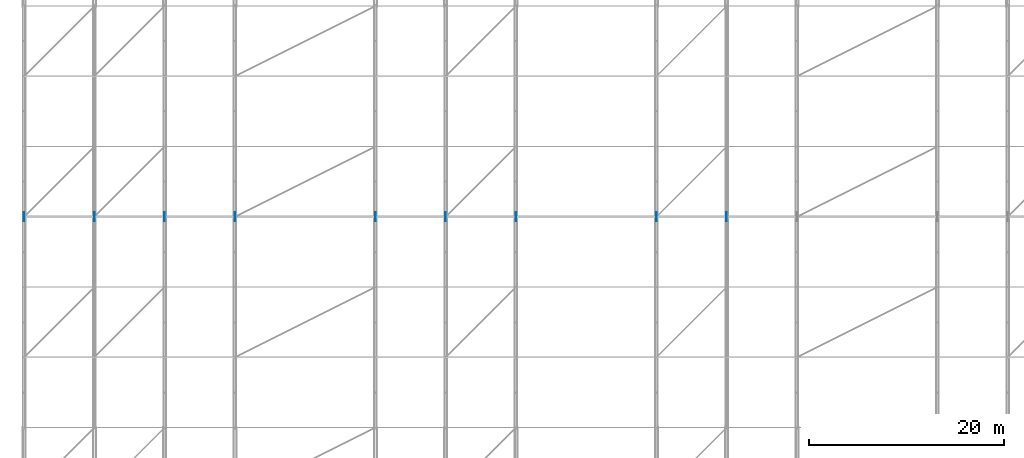
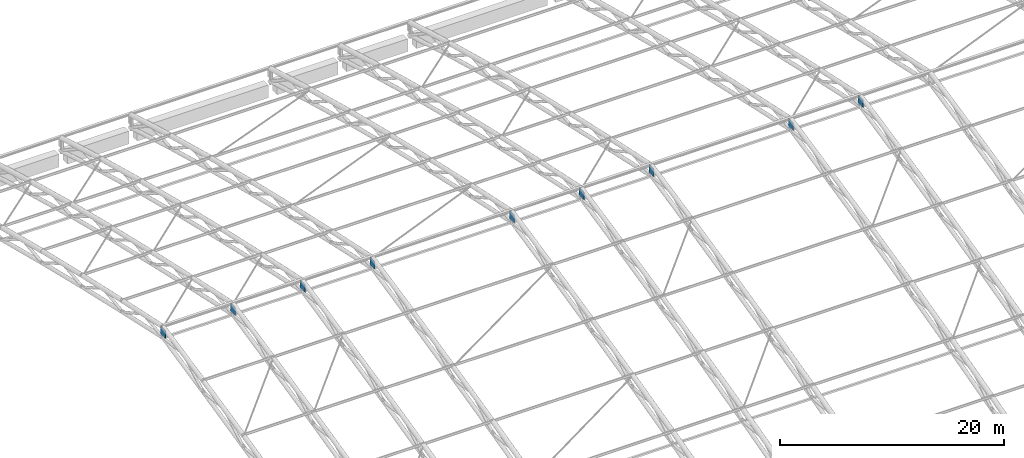
# One storey, part 115 of 193: 9 plates.
"""IFC4 building model written with IfcOpenShell, lengths in metres."""

import ifcopenshell
import ifcopenshell.guid

model = None  # the IFC model being written
_history = None  # IfcOwnerHistory: only IFC2X3 demands one
_inside = {}  # id of a spatial element -> (the spatial element, [elements in it])
_under = {}  # id of a project, library or spatial element -> (it, [spatial elements below it])
_declared = {}  # id of a project -> (the project, [libraries it declares])
_typed = {}  # id of a type object -> (the type object, [elements of that type])
_made_of = {}  # id of a material, layer set ... -> (it, [elements and type objects made of it])


def new_model(schema):
    """Start an empty IFC model of exactly this schema.

    Asked for "IFC4X3", IfcOpenShell would pick the latest addendum, in which some entities
    have other attributes; the version numbers below select the first issue.
    IFC2X3 requires an IfcOwnerHistory on every rooted entity: one is made here for all.
    """
    global model, _history
    if schema == "IFC4X3":
        model = ifcopenshell.file(schema_version=(4, 3, 0, 0))
    else:
        model = ifcopenshell.file(schema=schema)
    _inside.clear()
    _under.clear()
    _declared.clear()
    _typed.clear()
    _made_of.clear()
    _history = None
    if model.schema == "IFC2X3":
        org = make("IfcOrganization", Name="unknown")
        user = make(
            "IfcPersonAndOrganization",
            ThePerson=make("IfcPerson", FamilyName="unknown"),
            TheOrganization=org,
        )
        app = make(
            "IfcApplication",
            ApplicationDeveloper=org,
            Version="unknown",
            ApplicationFullName="unknown",
            ApplicationIdentifier="unknown",
        )
        _history = make(
            "IfcOwnerHistory",
            OwningUser=user,
            OwningApplication=app,
            ChangeAction="ADDED",
            CreationDate=0,
        )
    return model


def make(cls, **values):
    """One entity of the class cls with the attributes given. An attribute that is None is left unset."""
    return model.create_entity(
        cls, **{name: value for name, value in values.items() if value is not None}
    )


def rooted(cls, **values):
    """An entity with a GlobalId (a new one), such as an element, a storey or a relation."""
    return make(cls, GlobalId=ifcopenshell.guid.new(), OwnerHistory=_history, **values)


def si_unit(unit_type, name, prefix=None):
    """IfcSIUnit, for example si_unit("LENGTHUNIT", "METRE", prefix="MILLI")."""
    return make("IfcSIUnit", UnitType=unit_type, Prefix=prefix, Name=name)


def assignment(units):
    """IfcUnitAssignment: the units of a project."""
    return None if units is None else make("IfcUnitAssignment", Units=units)


def point(xyz):
    """IfcCartesianPoint."""
    return None if xyz is None else make("IfcCartesianPoint", Coordinates=xyz)


def direction(xyz):
    """IfcDirection."""
    return None if xyz is None else make("IfcDirection", DirectionRatios=xyz)


def frame(location, z_axis=None, x_axis=None):
    """IfcAxis2Placement3D, a coordinate frame: its origin and axes. An axis left out is left unset."""
    return make(
        "IfcAxis2Placement3D",
        Location=point(location),
        Axis=direction(z_axis),
        RefDirection=direction(x_axis),
    )


def frame_2d(location, x_axis=None):
    """IfcAxis2Placement2D, a coordinate frame in the plane: its origin and x axis."""
    return make(
        "IfcAxis2Placement2D", Location=point(location), RefDirection=direction(x_axis)
    )


def origin():
    """The frame at (0, 0, 0) with its axes left unset."""
    return frame((0.0, 0.0, 0.0))


def origin_2d():
    """The frame at (0, 0) in the plane with its x axis left unset."""
    return frame_2d((0.0, 0.0))


def place(relative_to, where):
    """IfcLocalPlacement: puts the frame where relative to a parent placement (None: the world)."""
    return make(
        "IfcLocalPlacement", PlacementRelTo=relative_to, RelativePlacement=where
    )


def context(
    kind, dimensions, precision=None, world=None, true_north=None, identifier=None
):
    """IfcGeometricRepresentationContext, for example the 3D "Model" context."""
    return make(
        "IfcGeometricRepresentationContext",
        ContextIdentifier=identifier,
        ContextType=kind,
        CoordinateSpaceDimension=dimensions,
        Precision=precision,
        WorldCoordinateSystem=world,
        TrueNorth=true_north,
    )


def subcontext(parent, identifier, kind, view, scale=None):
    """IfcGeometricRepresentationSubContext, for example "Body" below "Model"."""
    return make(
        "IfcGeometricRepresentationSubContext",
        ContextIdentifier=identifier,
        ContextType=kind,
        ParentContext=parent,
        TargetScale=scale,
        TargetView=view,
    )


def project(units=None, contexts=None):
    """IfcProject with its units and contexts."""
    return rooted(
        "IfcProject",
        Name="project",
        RepresentationContexts=contexts,
        UnitsInContext=assignment(units),
    )


def spatial(cls, under=None, at=None, **own):
    """A site, building, storey or space (cls), placed at a placement, below another one or the project."""
    s = rooted(cls, ObjectPlacement=at, **own)
    if under is not None:
        _under.setdefault(under.id(), (under, []))[1].append(s)
    return s


def profile(cls, at=None, kind="AREA", **sizes):
    """A parametric profile (cls). Its sizes go by their IFC names, for example OverallWidth=200.0."""
    return make(cls, ProfileType=kind, Position=at, **sizes)


def rectangle(**sizes):
    """IfcRectangleProfileDef."""
    return profile("IfcRectangleProfileDef", **sizes)


def extrude(swept, where, along, depth):
    """IfcExtrudedAreaSolid: the profile swept, set in the frame where, extruded along a direction by depth."""
    return make(
        "IfcExtrudedAreaSolid",
        SweptArea=swept,
        Position=where,
        ExtrudedDirection=direction(along),
        Depth=depth,
    )


def shape(context_of_items, identifier, shape_type, items):
    """IfcShapeRepresentation: the items that make up one representation, for example the "Body"."""
    return make(
        "IfcShapeRepresentation",
        ContextOfItems=context_of_items,
        RepresentationIdentifier=identifier,
        RepresentationType=shape_type,
        Items=items,
    )


def material(Name=None, Category=None):
    """IfcMaterial."""
    return make("IfcMaterial", Name=Name, Category=Category)


def layer(
    of_material, thickness, ventilated=None, Name=None, Category=None, Priority=None
):
    """IfcMaterialLayer: one layer of a wall or slab, of a material (None: an air gap)."""
    return make(
        "IfcMaterialLayer",
        Material=of_material,
        LayerThickness=thickness,
        IsVentilated=ventilated,
        Name=Name,
        Category=Category,
        Priority=Priority,
    )


def layer_set(layers, Name=None):
    """IfcMaterialLayerSet."""
    return make("IfcMaterialLayerSet", MaterialLayers=layers, LayerSetName=Name)


def made_of(thing, what):
    """Note that an element or type object is made of a material, layer set ...; save() writes the relation."""
    if what is not None:
        _made_of.setdefault(what.id(), (what, []))[1].append(thing)
    return thing


def type_object(cls, material=None, **own):
    """A type object (cls), such as IfcWallType, which elements share."""
    return made_of(rooted(cls, **own), material)


def element(
    cls,
    number,
    at=None,
    inside=None,
    cuts=None,
    type_object=None,
    material=None,
    context=None,
    identifier="Body",
    shape_type=None,
    held_by="IfcProductDefinitionShape",
    body=None,
    shapes=None,
    **own,
):
    """One element of the class cls, such as IfcWall. Its Tag is "e" and its number.

    at: its placement. inside: the storey or other place that contains it. cuts: it is an
    opening in that element (IfcRelVoidsElement). A single representation is given by context,
    identifier, shape_type and body (its items); several are given by shapes. held_by: the class
    of the entity that holds the representations. save() writes the other relations.
    """
    e = rooted(cls, Tag="e%d" % number, ObjectPlacement=at, **own)
    if body is not None:
        shapes = [shape(context, identifier, shape_type, body)]
    if shapes is not None:
        e.Representation = make(held_by, Representations=shapes)
    if inside is not None:
        _inside.setdefault(inside.id(), (inside, []))[1].append(e)
    if cuts is not None:
        rooted(
            "IfcRelVoidsElement", RelatingBuildingElement=cuts, RelatedOpeningElement=e
        )
    if type_object is not None:
        _typed.setdefault(type_object.id(), (type_object, []))[1].append(e)
    return made_of(e, material)


def aggregate(whole, parts):
    """IfcRelAggregates: a whole, such as a stair, and the parts it consists of."""
    return rooted("IfcRelAggregates", RelatingObject=whole, RelatedObjects=parts)


def save(model, path):
    """Write the relations noted so far, then the file.

    IfcRelAggregates (storeys below a building ...), IfcRelContainedInSpatialStructure (elements
    in a storey), IfcRelDefinesByType, IfcRelAssociatesMaterial and IfcRelDeclares: one each for
    every whole, place, type object, material and project.
    """
    for whole, parts in _under.values():
        aggregate(whole, parts)
    for where, things in _inside.values():
        rooted(
            "IfcRelContainedInSpatialStructure",
            RelatedElements=things,
            RelatingStructure=where,
        )
    for kind, things in _typed.values():
        rooted("IfcRelDefinesByType", RelatedObjects=things, RelatingType=kind)
    for what, things in _made_of.values():
        rooted("IfcRelAssociatesMaterial", RelatedObjects=things, RelatingMaterial=what)
    for by, libraries in _declared.values():
        rooted("IfcRelDeclares", RelatingContext=by, RelatedDefinitions=libraries)
    model.write(path)


model = new_model("IFC4")

# Units and contexts
model_context = context("Model", 3, precision=1e-05, world=origin(), true_north=direction((0.0, 1.0)))
body_context = subcontext(model_context, "Body", "Model", "MODEL_VIEW")
ifc_project = project(units=[si_unit("LENGTHUNIT", "METRE"), si_unit("AREAUNIT", "SQUARE_METRE"), si_unit("VOLUMEUNIT", "CUBIC_METRE"), si_unit("PLANEANGLEUNIT", "RADIAN"), si_unit("MASSUNIT", "GRAM", prefix="KILO")], contexts=[model_context])

# Site, building, storey
site_placement = place(None, origin())
site = spatial("IfcSite", under=ifc_project, at=site_placement, CompositionType="ELEMENT")
building_placement = place(site_placement, origin())
building = spatial("IfcBuilding", under=site, at=building_placement, Name="Cendralis Lancet Convention Centre", CompositionType="ELEMENT")
storey_placement = place(building_placement, frame((0.0, 0.0, 10.199951171875)))
storey = spatial("IfcBuildingStorey", under=building, at=storey_placement, Name="L02", CompositionType="ELEMENT", Elevation=10.199951171875)

# Plates
ifc_material = material(Name="Steel S355", Category="steel")
ifc_layer_1 = layer(ifc_material, 0.031982421875, Name="Steel S355")
ifc_layer_set_1 = layer_set([ifc_layer_1], Name="Steel S355")
plate_type_1 = type_object("IfcPlateType", Name="STR-PL-GP32", PredefinedType="USERDEFINED", material=ifc_layer_set_1)
plate_placement = place(storey_placement, frame((0.0, 93.60009765625, 13.162109375), z_axis=(0.0, 0.0, 1.0), x_axis=(0.0, 1.0, 0.0)))
element("IfcPlate", 1, at=plate_placement, inside=storey, type_object=plate_type_1, Name="Truss Gusset Plate GP-32 AT-V1-01-APEX", ObjectType="GUSSET PLATE", PredefinedType="USERDEFINED", context=body_context, shape_type="SweptSolid", body=[
    extrude(rectangle(XDim=0.89990234375, YDim=0.031982421875, at=origin_2d()), origin(), (0.0, 0.0, 1.0), 0.89990234375),
])
ifc_layer_2 = layer(ifc_material, 0.031982421875, Name="Steel S355")
ifc_layer_set_2 = layer_set([ifc_layer_2], Name="Steel S355")
plate_type_2 = type_object("IfcPlateType", Name="STR-PL-GP32-INT", PredefinedType="USERDEFINED", material=ifc_layer_set_2)
for number, where, z_axis, x_axis, name in (
    (2, (7.199951171875, 93.60009765625, 13.162109375), (0.0, 0.0, 1.0), (0.0, 1.0, 0.0), "Truss Gusset Plate GP-32 AT-V1-02-APEX"),
    (3, (14.39990234375, 93.60009765625, 13.162109375), (0.0, 0.0, 1.0), (0.0, 1.0, 0.0), "Truss Gusset Plate GP-32 AT-V1-03-APEX"),
    (4, (21.60009765625, 93.60009765625, 13.162109375), (0.0, 0.0, 1.0), (0.0, 1.0, 0.0), "Truss Gusset Plate GP-32 AT-V1-04-APEX"),
    (5, (36.0, 93.60009765625, 13.162109375), (0.0, 0.0, 1.0), (0.0, 1.0, 0.0), "Truss Gusset Plate GP-32 AT-V1-05-APEX"),
    (6, (43.199951171875, 93.60009765625, 13.162109375), (0.0, 0.0, 1.0), (0.0, 1.0, 0.0), "Truss Gusset Plate GP-32 AT-V1-06-APEX"),
    (7, (50.39990234375, 93.60009765625, 13.162109375), (0.0, 0.0, 1.0), (0.0, 1.0, 0.0), "Truss Gusset Plate GP-32 AT-V1-07-APEX"),
    (8, (64.800048828125, 93.60009765625, 13.162109375), (0.0, 0.0, 1.0), (0.0, 1.0, 0.0), "Truss Gusset Plate GP-32 AT-V1-08-APEX"),
    (9, (72.0, 93.60009765625, 13.162109375), (0.0, 0.0, 1.0), (0.0, 1.0, 0.0), "Truss Gusset Plate GP-32 AT-V1-09-APEX"),
):
    element("IfcPlate", number, at=place(storey_placement, frame(where, z_axis=z_axis, x_axis=x_axis)), inside=storey, type_object=plate_type_2, Name=name, ObjectType="GUSSET PLATE", PredefinedType="USERDEFINED", context=body_context, shape_type="SweptSolid", body=[
        extrude(rectangle(XDim=0.89990234375, YDim=0.031982421875, at=origin_2d()), origin(), (0.0, 0.0, 1.0), 0.89990234375),
    ])

save(model, "model.ifc")
